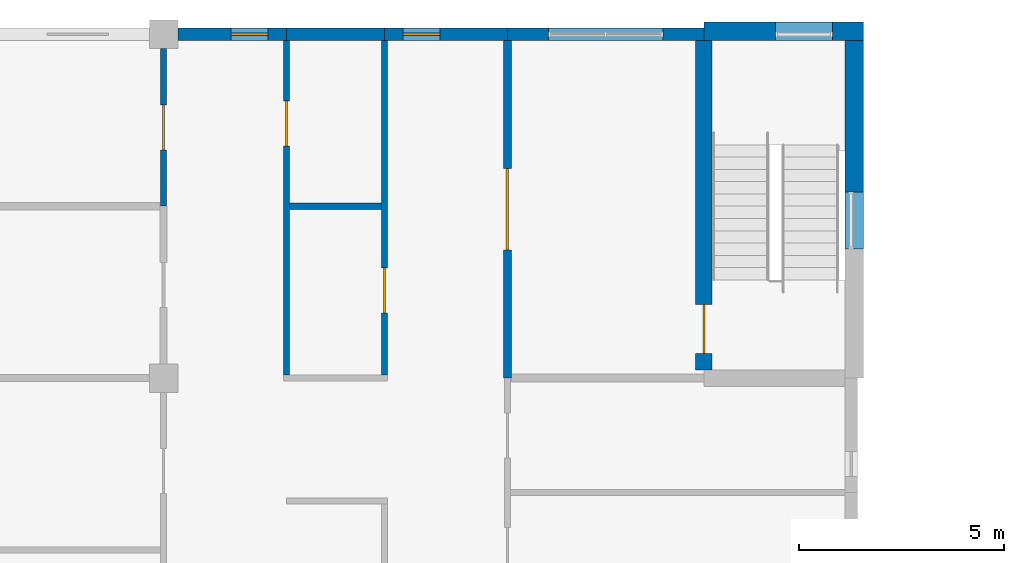
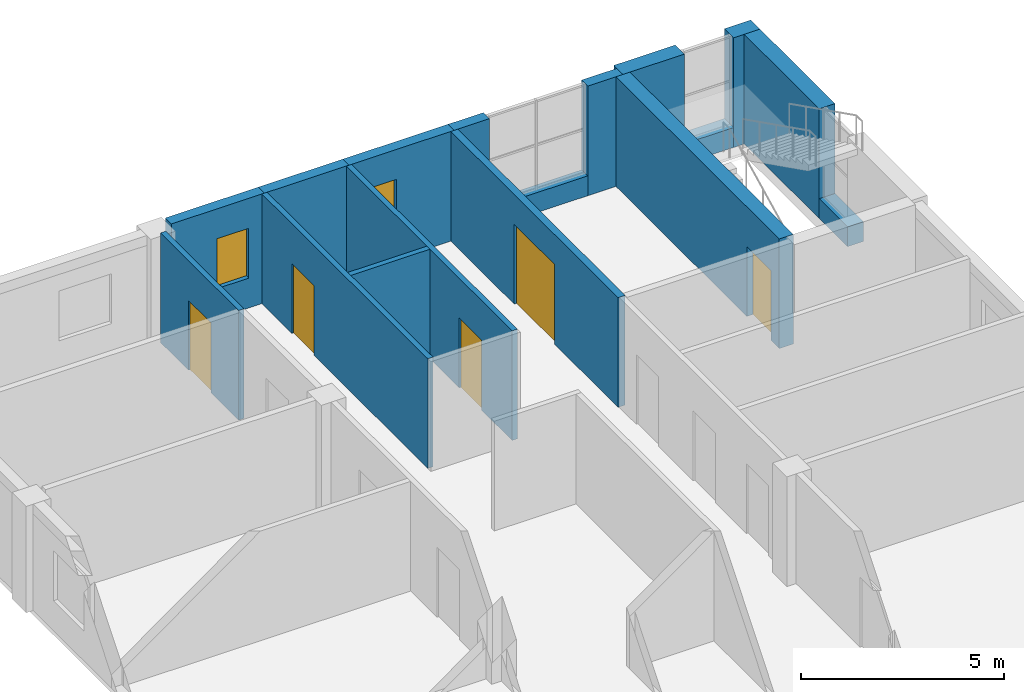
# One storey, part 37 of 48: 17 walls, 5 doors, 2 windows, 7 openings.
"""IFC4 building model written with IfcOpenShell, lengths in metres."""

from ifc_helpers import new_model, si_unit, direction, frame, frame_2d, origin, place, context, subcontext, project, spatial, rectangle, extrude, material, layer, layer_set, type_object, element, fill, save


model = new_model("IFC4")

# Units and contexts
model_context = context("Model", 3, precision=1e-05, world=origin(), true_north=direction((0.0, 1.0)))
body_context = subcontext(model_context, "Body", "Model", "MODEL_VIEW")
ifc_project = project(units=[si_unit("LENGTHUNIT", "METRE"), si_unit("AREAUNIT", "SQUARE_METRE"), si_unit("VOLUMEUNIT", "CUBIC_METRE"), si_unit("PLANEANGLEUNIT", "RADIAN"), si_unit("MASSUNIT", "GRAM", prefix="KILO")], contexts=[model_context])

# Site, building, storey
site_placement = place(None, origin())
site = spatial("IfcSite", under=ifc_project, at=site_placement, CompositionType="ELEMENT")
building_placement = place(site_placement, origin())
building = spatial("IfcBuilding", under=site, at=building_placement, Name="Yavir Park General Hospital", CompositionType="ELEMENT")
storey_placement = place(building_placement, frame((0.0, 0.0, 26.10009765625)))
storey = spatial("IfcBuildingStorey", under=building, at=storey_placement, Name="L06", CompositionType="ELEMENT", Elevation=26.10009765625)

# Wall, opening, door
ifc_material_1 = material(Name="Double gypsum board fire partition on steel studs", Category="steel")
ifc_layer_1 = layer(ifc_material_1, 0.199951171875)
ifc_layer_set_1 = layer_set([ifc_layer_1], Name="Double gypsum board fire partition on steel studs")
wall_type_1 = type_object("IfcWallType", Name="Fire-rated partition 200, EI 60", PredefinedType="PARTITIONING", material=ifc_layer_set_1)
wall_1_placement = place(storey_placement, frame((16.800048828125, 109.199951171875, 0.0), z_axis=(0.0, 0.0, 1.0), x_axis=(0.0, 1.0, 0.0)))
wall_1 = element("IfcWall", 1, at=wall_1_placement, inside=storey, type_object=wall_type_1, Name="FP20 L06-185", PredefinedType="PARTITIONING", context=body_context, shape_type="SweptSolid", body=[
    extrude(rectangle(XDim=8.25, YDim=0.199951171875, at=frame_2d((4.125, 0.0))), origin(), (0.0, 0.0, 1.0), 3.2998046875),
])
opening_1_placement = place(wall_1_placement, frame((3.125, 0.0, 0.0)))
opening_1 = element("IfcOpeningElement", 2, at=opening_1_placement, cuts=wall_1, Name="Opening L06.D126", PredefinedType="OPENING", context=body_context, shape_type="SweptSolid", body=[
    extrude(rectangle(XDim=2.0, YDim=2.39990234375, at=frame_2d((1.0, 1.199951171875))), frame((0.0, 0.10986328125, 0.0), z_axis=(0.0, -1.0, 0.0), x_axis=(1.0, 0.0, 0.0)), (0.0, 0.0, 1.0), 0.219970703125),
])
ifc_material_2 = material(Name="Steel frame, fire-resisting leaves with vision panels", Category="steel")
door_type_1 = type_object("IfcDoorType", Name="Double fire door with vision panels 2000 x 2400, EI 60", OperationType="DOUBLE_DOOR_SINGLE_SWING", PredefinedType="DOOR", material=ifc_material_2)
door_1_placement = place(opening_1_placement, origin())
door_1 = element("IfcDoor", 3, at=door_1_placement, inside=storey, type_object=door_type_1, Name="L06.D126", OperationType="SINGLE_SWING_LEFT", OverallHeight=2.39990234375, OverallWidth=2.0, PredefinedType="DOOR", context=body_context, shape_type="SweptSolid", body=[
    extrude(rectangle(XDim=2.0, YDim=2.39990234375, at=frame_2d((1.0, 1.199951171875))), frame((0.0, 0.030029296875, 0.0), z_axis=(0.0, -1.0, 0.0), x_axis=(1.0, 0.0, 0.0)), (0.0, 0.0, 1.0), 0.06005859375),
])
fill(opening_1, door_1)

# Wall
ifc_material_3 = material(Name="Gypsum board partition on steel studs", Category="steel")
ifc_layer_2 = layer(ifc_material_3, 0.14990234375)
ifc_layer_set_2 = layer_set([ifc_layer_2], Name="Gypsum board partition on steel studs")
wall_type_2 = type_object("IfcWallType", Name="Gypsum board partition 150", PredefinedType="PARTITIONING", material=ifc_layer_set_2)
wall_2_placement = place(storey_placement, frame((11.47509765625, 113.39990234375, 0.0), z_axis=(0.0, 0.0, 1.0), x_axis=(1.0, 0.0, 0.0)))
element("IfcWall", 4, at=wall_2_placement, inside=storey, type_object=wall_type_2, Name="P15 L06-131", PredefinedType="PARTITIONING", context=body_context, shape_type="SweptSolid", body=[
    extrude(rectangle(XDim=2.25, YDim=0.14990234375, at=frame_2d((1.125, 0.0))), origin(), (0.0, 0.0, 1.0), 3.2998046875),
])

# Wall, opening, door
wall_3_placement = place(storey_placement, frame((8.39990234375, 113.39990234375, 0.0), z_axis=(0.0, 0.0, 1.0), x_axis=(0.0, 1.0, 0.0)))
wall_3 = element("IfcWall", 5, at=wall_3_placement, inside=storey, type_object=wall_type_2, Name="P15 L06-161", PredefinedType="PARTITIONING", context=body_context, shape_type="SweptSolid", body=[
    extrude(rectangle(XDim=3.85009765625, YDim=0.14990234375, at=frame_2d((1.925048828125, 0.0))), origin(), (0.0, 0.0, 1.0), 3.2998046875),
])
opening_2_placement = place(wall_3_placement, frame((1.375, 0.0, 0.0)))
opening_2 = element("IfcOpeningElement", 6, at=opening_2_placement, cuts=wall_3, Name="Opening L06.D101", PredefinedType="OPENING", context=body_context, shape_type="SweptSolid", body=[
    extrude(rectangle(XDim=1.10009765625, YDim=2.10009765625, at=frame_2d((0.550048828125, 1.050048828125))), frame((0.0, 0.0849609375, 0.0), z_axis=(0.0, -1.0, 0.0), x_axis=(1.0, 0.0, 0.0)), (0.0, 0.0, 1.0), 0.169921875),
])
ifc_material_4 = material(Name="Hollow metal frame, solid-core timber leaf", Category="wood")
door_type_2 = type_object("IfcDoorType", Name="Single swing door 1100 x 2100", OperationType="SINGLE_SWING_LEFT", PredefinedType="DOOR", material=ifc_material_4)
door_2_placement = place(opening_2_placement, origin())
door_2 = element("IfcDoor", 7, at=door_2_placement, inside=storey, type_object=door_type_2, Name="L06.D101", OperationType="SINGLE_SWING_RIGHT", OverallHeight=2.10009765625, OverallWidth=1.10009765625, PredefinedType="DOOR", context=body_context, shape_type="SweptSolid", body=[
    extrude(rectangle(XDim=1.10009765625, YDim=2.10009765625, at=frame_2d((0.550048828125, 1.050048828125))), frame((0.0, 0.02490234375, 0.0), z_axis=(0.0, -1.0, 0.0), x_axis=(1.0, 0.0, 0.0)), (0.0, 0.0, 1.0), 0.050048828125),
])
fill(opening_2, door_2)

wall_4_placement = place(storey_placement, frame((11.39990234375, 109.27490234375, 0.0), z_axis=(0.0, 0.0, 1.0), x_axis=(0.0, 1.0, 0.0)))
wall_4 = element("IfcWall", 8, at=wall_4_placement, inside=storey, type_object=wall_type_2, Name="P15 L06-167", PredefinedType="PARTITIONING", context=body_context, shape_type="SweptSolid", body=[
    extrude(rectangle(XDim=8.175048828125, YDim=0.14990234375, at=frame_2d((4.08740234375, 0.0))), origin(), (0.0, 0.0, 1.0), 3.2998046875),
])
opening_3_placement = place(wall_4_placement, frame((5.60009765625, 0.0, 0.0)))
opening_3 = element("IfcOpeningElement", 9, at=opening_3_placement, cuts=wall_4, Name="Opening L06.D107", PredefinedType="OPENING", context=body_context, shape_type="SweptSolid", body=[
    extrude(rectangle(XDim=1.10009765625, YDim=2.10009765625, at=frame_2d((0.550048828125, 1.050048828125))), frame((0.0, 0.0849609375, 0.0), z_axis=(0.0, -1.0, 0.0), x_axis=(1.0, 0.0, 0.0)), (0.0, 0.0, 1.0), 0.169921875),
])
door_3_placement = place(opening_3_placement, origin())
door_3 = element("IfcDoor", 10, at=door_3_placement, inside=storey, type_object=door_type_2, Name="L06.D107", OperationType="SINGLE_SWING_LEFT", OverallHeight=2.10009765625, OverallWidth=1.10009765625, PredefinedType="DOOR", context=body_context, shape_type="SweptSolid", body=[
    extrude(rectangle(XDim=1.10009765625, YDim=2.10009765625, at=frame_2d((0.550048828125, 1.050048828125))), frame((0.0, 0.02490234375, 0.0), z_axis=(0.0, -1.0, 0.0), x_axis=(1.0, 0.0, 0.0)), (0.0, 0.0, 1.0), 0.050048828125),
])
fill(opening_3, door_3)

wall_5_placement = place(storey_placement, frame((13.800048828125, 109.27490234375, 0.0), z_axis=(0.0, 0.0, 1.0), x_axis=(0.0, 1.0, 0.0)))
wall_5 = element("IfcWall", 11, at=wall_5_placement, inside=storey, type_object=wall_type_2, Name="P15 L06-172", PredefinedType="PARTITIONING", context=body_context, shape_type="SweptSolid", body=[
    extrude(rectangle(XDim=8.175048828125, YDim=0.14990234375, at=frame_2d((4.08740234375, 0.0))), origin(), (0.0, 0.0, 1.0), 3.2998046875),
])
opening_4_placement = place(wall_5_placement, frame((1.512451171875, 0.0, 0.0)))
opening_4 = element("IfcOpeningElement", 12, at=opening_4_placement, cuts=wall_5, Name="Opening L06.D113", PredefinedType="OPENING", context=body_context, shape_type="SweptSolid", body=[
    extrude(rectangle(XDim=1.10009765625, YDim=2.10009765625, at=frame_2d((0.550048828125, 1.050048828125))), frame((0.0, 0.0849609375, 0.0), z_axis=(0.0, -1.0, 0.0), x_axis=(1.0, 0.0, 0.0)), (0.0, 0.0, 1.0), 0.169921875),
])
door_4_placement = place(opening_4_placement, origin())
door_4 = element("IfcDoor", 13, at=door_4_placement, inside=storey, type_object=door_type_2, Name="L06.D113", OperationType="SINGLE_SWING_LEFT", OverallHeight=2.10009765625, OverallWidth=1.10009765625, PredefinedType="DOOR", context=body_context, shape_type="SweptSolid", body=[
    extrude(rectangle(XDim=1.10009765625, YDim=2.10009765625, at=frame_2d((0.550048828125, 1.050048828125))), frame((0.0, 0.02490234375, 0.0), z_axis=(0.0, -1.0, 0.0), x_axis=(1.0, 0.0, 0.0)), (0.0, 0.0, 1.0), 0.050048828125),
])
fill(opening_4, door_4)

# Wall, opening, window
ifc_material_5 = material(Name="Autoclaved aerated block, mineral wool and ochre mineral render")
ifc_layer_3 = layer(ifc_material_5, 0.300048828125)
ifc_layer_set_3 = layer_set([ifc_layer_3], Name="Autoclaved aerated block, mineral wool and ochre mineral render")
wall_type_3 = type_object("IfcWallType", Name="Ochre render ward wall 300, E 30", PredefinedType="SOLIDWALL", material=ifc_layer_set_3)
wall_6_placement = place(storey_placement, frame((8.75, 117.60009765625, 0.0), z_axis=(0.0, 0.0, 1.0), x_axis=(1.0, 0.0, 0.0)))
wall_6 = element("IfcWall", 14, at=wall_6_placement, inside=storey, type_object=wall_type_3, Name="XW7 L06-060", PredefinedType="SOLIDWALL", context=body_context, shape_type="SweptSolid", body=[
    extrude(rectangle(XDim=2.64990234375, YDim=0.300048828125, at=frame_2d((1.324951171875, 0.0))), origin(), (0.0, 0.0, 1.0), 3.2998046875),
])
opening_5_placement = place(wall_6_placement, frame((1.300048828125, 0.0, 0.89990234375)))
opening_5 = element("IfcOpeningElement", 15, at=opening_5_placement, cuts=wall_6, Name="Opening WH", PredefinedType="OPENING", context=body_context, shape_type="SweptSolid", body=[
    extrude(rectangle(XDim=0.89990234375, YDim=1.5, at=frame_2d((0.449951171875, 0.75))), frame((0.0, 0.159912109375, 0.0), z_axis=(0.0, -1.0, 0.0), x_axis=(1.0, 0.0, 0.0)), (0.0, 0.0, 1.0), 0.320068359375),
])
ifc_material_6 = material(Name="Aluminium frame, double glazed unit", Category="aluminium")
window_type = type_object("IfcWindowType", Name="Narrow window 900 x 1500", PartitioningType="SINGLE_PANEL", PredefinedType="WINDOW", material=ifc_material_6)
window_1_placement = place(opening_5_placement, origin())
window_1 = element("IfcWindow", 16, at=window_1_placement, inside=storey, type_object=window_type, Name="WH L06-020", OverallHeight=1.5, OverallWidth=0.89990234375, PartitioningType="SINGLE_PANEL", PredefinedType="WINDOW", context=body_context, shape_type="SweptSolid", body=[
    extrude(rectangle(XDim=0.89990234375, YDim=1.5, at=frame_2d((0.449951171875, 0.75))), frame((0.0, 0.030029296875, 0.0), z_axis=(0.0, -1.0, 0.0), x_axis=(1.0, 0.0, 0.0)), (0.0, 0.0, 1.0), 0.06005859375),
])
fill(opening_5, window_1)

# Wall
wall_7_placement = place(storey_placement, frame((11.39990234375, 117.60009765625, 0.0), z_axis=(0.0, 0.0, 1.0), x_axis=(1.0, 0.0, 0.0)))
element("IfcWall", 17, at=wall_7_placement, inside=storey, type_object=wall_type_3, Name="XW7 L06-061", PredefinedType="SOLIDWALL", context=body_context, shape_type="SweptSolid", body=[
    extrude(rectangle(XDim=2.400146484375, YDim=0.300048828125, at=frame_2d((1.2001953125, 0.0))), origin(), (0.0, 0.0, 1.0), 3.2998046875),
])

# Wall, opening, window
wall_8_placement = place(storey_placement, frame((13.800048828125, 117.60009765625, 0.0), z_axis=(0.0, 0.0, 1.0), x_axis=(1.0, 0.0, 0.0)))
wall_8 = element("IfcWall", 18, at=wall_8_placement, inside=storey, type_object=wall_type_3, Name="XW7 L06-062", PredefinedType="SOLIDWALL", context=body_context, shape_type="SweptSolid", body=[
    extrude(rectangle(XDim=3.0, YDim=0.300048828125, at=frame_2d((1.5, 0.0))), origin(), (0.0, 0.0, 1.0), 3.2998046875),
])
opening_6_placement = place(wall_8_placement, frame((0.449951171875, 0.0, 0.89990234375)))
opening_6 = element("IfcOpeningElement", 19, at=opening_6_placement, cuts=wall_8, Name="Opening WH", PredefinedType="OPENING", context=body_context, shape_type="SweptSolid", body=[
    extrude(rectangle(XDim=0.89990234375, YDim=1.5, at=frame_2d((0.449951171875, 0.75))), frame((0.0, 0.159912109375, 0.0), z_axis=(0.0, -1.0, 0.0), x_axis=(1.0, 0.0, 0.0)), (0.0, 0.0, 1.0), 0.320068359375),
])
window_2_placement = place(opening_6_placement, origin())
window_2 = element("IfcWindow", 20, at=window_2_placement, inside=storey, type_object=window_type, Name="WH L06-021", OverallHeight=1.5, OverallWidth=0.89990234375, PartitioningType="SINGLE_PANEL", PredefinedType="WINDOW", context=body_context, shape_type="SweptSolid", body=[
    extrude(rectangle(XDim=0.89990234375, YDim=1.5, at=frame_2d((0.449951171875, 0.75))), frame((0.0, 0.030029296875, 0.0), z_axis=(0.0, -1.0, 0.0), x_axis=(1.0, 0.0, 0.0)), (0.0, 0.0, 1.0), 0.06005859375),
])
fill(opening_6, window_2)

# Walls
for number, where, z_axis, x_axis, name in (
    (21, (16.800048828125, 117.60009765625, 0.0), (0.0, 0.0, 1.0), (1.0, 0.0, 0.0), "XW7 L06-063"),
    (22, (20.60009765625, 117.60009765625, 0.0), (0.0, 0.0, 1.0), (1.0, 0.0, 0.0), "XW7 L06-064"),
):
    element("IfcWall", number, at=place(storey_placement, frame(where, z_axis=z_axis, x_axis=x_axis)), inside=storey, type_object=wall_type_3, Name=name, PredefinedType="SOLIDWALL", context=body_context, shape_type="SweptSolid", body=[
        extrude(rectangle(XDim=1.0, YDim=0.300048828125, at=frame_2d((0.5, 0.0))), origin(), (0.0, 0.0, 1.0), 3.2998046875),
    ])
wall_9_placement = place(storey_placement, frame((17.800048828125, 117.60009765625, 0.0), z_axis=(0.0, 0.0, 1.0), x_axis=(1.0, 0.0, 0.0)))
element("IfcWall", 23, at=wall_9_placement, inside=storey, type_object=wall_type_3, Name="XW7 L06-065", PredefinedType="SOLIDWALL", context=body_context, shape_type="SweptSolid", body=[
    extrude(rectangle(XDim=2.800048828125, YDim=0.300048828125, at=frame_2d((1.39990234375, 0.0))), origin(), (0.0, 0.0, 1.0), 0.599853515625),
])

# Wall, opening, door
ifc_material_7 = material(Name="Concrete C35/45", Category="concrete")
ifc_layer_4 = layer(ifc_material_7, 0.39990234375)
ifc_layer_set_4 = layer_set([ifc_layer_4], Name="Concrete C35/45")
wall_type_4 = type_object("IfcWallType", Name="Reinforced concrete core wall 400, REI 150", PredefinedType="SHEAR", material=ifc_layer_set_4)
wall_10_placement = place(storey_placement, frame((21.60009765625, 109.39990234375, 0.0), z_axis=(0.0, 0.0, 1.0), x_axis=(0.0, 1.0, 0.0)))
wall_10 = element("IfcWall", 24, at=wall_10_placement, inside=storey, type_object=wall_type_4, Name="CW40 L06-197", PredefinedType="SHEAR", context=body_context, shape_type="SweptSolid", body=[
    extrude(rectangle(XDim=8.050048828125, YDim=0.39990234375, at=frame_2d((4.02490234375, 0.0))), origin(), (0.0, 0.0, 1.0), 3.2998046875),
])
opening_7_placement = place(wall_10_placement, frame((0.39990234375, 0.0, 0.0)))
opening_7 = element("IfcOpeningElement", 25, at=opening_7_placement, cuts=wall_10, Name="Opening L06.D135", PredefinedType="OPENING", context=body_context, shape_type="SweptSolid", body=[
    extrude(rectangle(XDim=1.199951171875, YDim=2.10009765625, at=frame_2d((0.60009765625, 1.050048828125))), frame((0.0, 0.2099609375, 0.0), z_axis=(0.0, -1.0, 0.0), x_axis=(1.0, 0.0, 0.0)), (0.0, 0.0, 1.0), 0.419921875),
])
ifc_material_8 = material(Name="Steel frame, fire-resisting timber leaf", Category="steel")
door_type_3 = type_object("IfcDoorType", Name="Fire door 1200 x 2100, EI 60", OperationType="SINGLE_SWING_LEFT", PredefinedType="DOOR", material=ifc_material_8)
door_5_placement = place(opening_7_placement, origin())
door_5 = element("IfcDoor", 26, at=door_5_placement, inside=storey, type_object=door_type_3, Name="L06.D135", OperationType="SINGLE_SWING_LEFT", OverallHeight=2.10009765625, OverallWidth=1.199951171875, PredefinedType="DOOR", context=body_context, shape_type="SweptSolid", body=[
    extrude(rectangle(XDim=1.199951171875, YDim=2.10009765625, at=frame_2d((0.60009765625, 1.050048828125))), frame((0.0, 0.02490234375, 0.0), z_axis=(0.0, -1.0, 0.0), x_axis=(1.0, 0.0, 0.0)), (0.0, 0.0, 1.0), 0.050048828125),
])
fill(opening_7, door_5)

# Walls
ifc_material_9 = material(Name="Concrete C30/37 precast panel with 150 mm mineral wool insulation", Category="concrete")
ifc_layer_5 = layer(ifc_material_9, 0.449951171875)
ifc_layer_set_5 = layer_set([ifc_layer_5], Name="Concrete C30/37 precast panel with 150 mm mineral wool insulation")
wall_type_5 = type_object("IfcWallType", Name="Stair enclosure wall 450, REI 150", PredefinedType="SOLIDWALL", material=ifc_layer_set_5)
wall_11_placement = place(storey_placement, frame((21.60009765625, 117.675048828125, 0.0), z_axis=(0.0, 0.0, 1.0), x_axis=(1.0, 0.0, 0.0)))
element("IfcWall", 27, at=wall_11_placement, inside=storey, type_object=wall_type_5, Name="XW6 L06-066", PredefinedType="SOLIDWALL", context=body_context, shape_type="SweptSolid", body=[
    extrude(rectangle(XDim=1.75, YDim=0.449951171875, at=frame_2d((0.875, 0.0))), origin(), (0.0, 0.0, 1.0), 3.2998046875),
])
wall_12_placement = place(storey_placement, frame((24.75, 117.675048828125, 0.0), z_axis=(0.0, 0.0, 1.0), x_axis=(1.0, 0.0, 0.0)))
element("IfcWall", 28, at=wall_12_placement, inside=storey, type_object=wall_type_5, Name="XW6 L06-067", PredefinedType="SOLIDWALL", context=body_context, shape_type="SweptSolid", body=[
    extrude(rectangle(XDim=0.75, YDim=0.449951171875, at=frame_2d((0.375, 0.0))), origin(), (0.0, 0.0, 1.0), 3.2998046875),
])
wall_13_placement = place(storey_placement, frame((23.35009765625, 117.675048828125, 0.0), z_axis=(0.0, 0.0, 1.0), x_axis=(1.0, 0.0, 0.0)))
element("IfcWall", 29, at=wall_13_placement, inside=storey, type_object=wall_type_5, Name="XW6 L06-068", PredefinedType="SOLIDWALL", context=body_context, shape_type="SweptSolid", body=[
    extrude(rectangle(XDim=1.39990234375, YDim=0.449951171875, at=frame_2d((0.699951171875, 0.0))), origin(), (0.0, 0.0, 1.0), 0.599853515625),
])
wall_14_placement = place(storey_placement, frame((25.27490234375, 113.75, 0.0), z_axis=(0.0, 0.0, 1.0), x_axis=(0.0, 1.0, 0.0)))
element("IfcWall", 30, at=wall_14_placement, inside=storey, type_object=wall_type_5, Name="XW6 L06-124", PredefinedType="SOLIDWALL", context=body_context, shape_type="SweptSolid", body=[
    extrude(rectangle(XDim=3.699951171875, YDim=0.449951171875, at=frame_2d((1.85009765625, 0.0))), origin(), (0.0, 0.0, 1.0), 3.2998046875),
])
wall_15_placement = place(storey_placement, frame((25.27490234375, 112.35009765625, 0.0), z_axis=(0.0, 0.0, 1.0), x_axis=(0.0, 1.0, 0.0)))
element("IfcWall", 31, at=wall_15_placement, inside=storey, type_object=wall_type_5, Name="XW6 L06-125", PredefinedType="SOLIDWALL", context=body_context, shape_type="SweptSolid", body=[
    extrude(rectangle(XDim=1.39990234375, YDim=0.449951171875, at=frame_2d((0.699951171875, 0.0))), origin(), (0.0, 0.0, 1.0), 0.599853515625),
])

save(model, "model.ifc")
